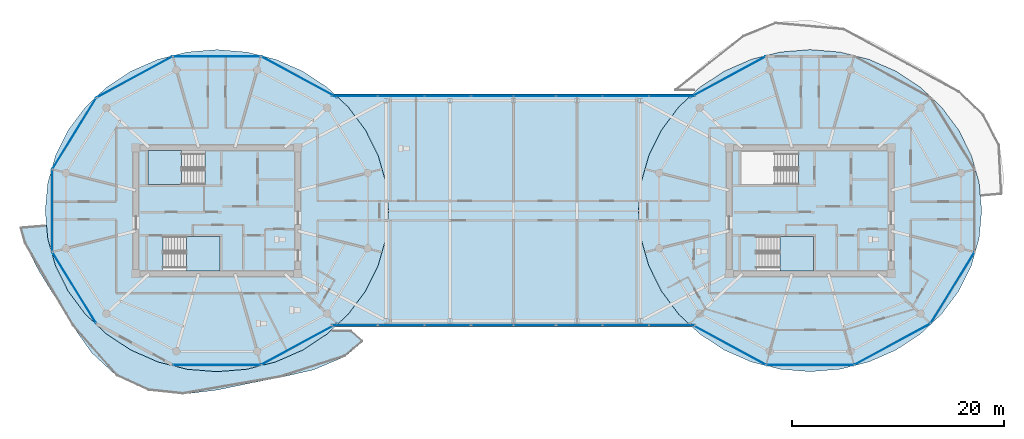
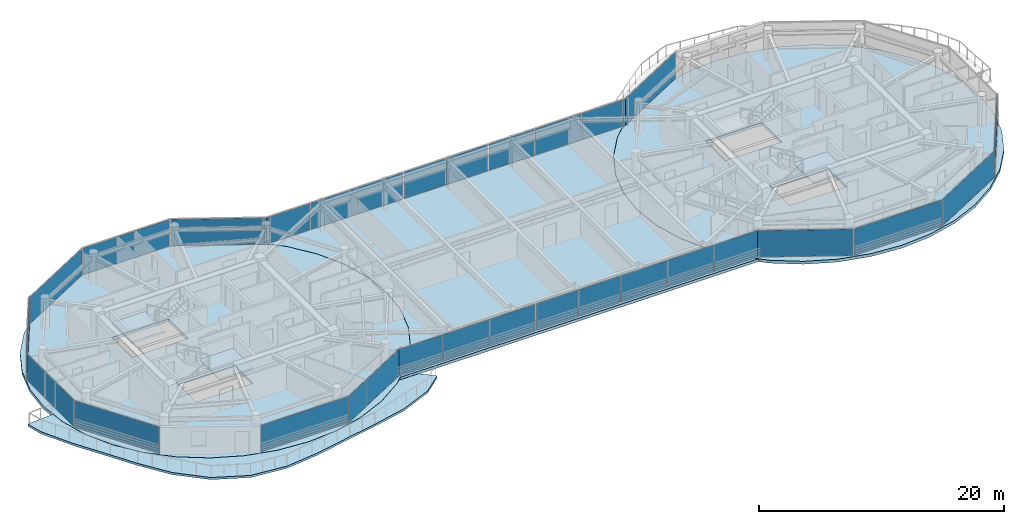
# One storey, part 12 of 24: 29 plates, 7 slabs, 22 elements without a shape of their own.
"""IFC4 building model written with IfcOpenShell, lengths in metres."""

from ifc_helpers import new_model, si_unit, direction, frame, origin, origin_2d, place, context, subcontext, project, spatial, polyline, rectangle, outline, extrude, source, transform, mapped, material, layer, layer_set, type_object, type_shapes, element, aggregate, save


model = new_model("IFC4")

# Units and contexts
model_context = context("Model", 3, precision=1e-05, world=origin(), true_north=direction((0.0, 1.0)))
body_context = subcontext(model_context, "Body", "Model", "MODEL_VIEW")
ifc_project = project(units=[si_unit("LENGTHUNIT", "METRE"), si_unit("AREAUNIT", "SQUARE_METRE"), si_unit("VOLUMEUNIT", "CUBIC_METRE"), si_unit("PLANEANGLEUNIT", "RADIAN"), si_unit("MASSUNIT", "GRAM", prefix="KILO")], contexts=[model_context])

# Site, building, storey
site_placement = place(None, origin())
site = spatial("IfcSite", under=ifc_project, at=site_placement, CompositionType="ELEMENT")
building_placement = place(site_placement, origin())
building = spatial("IfcBuilding", under=site, at=building_placement, Name="Norrkilde Senior Care Towers", CompositionType="ELEMENT")
storey_placement = place(building_placement, frame((0.0, 0.0, 226.10009765625)))
storey = spatial("IfcBuildingStorey", under=building, at=storey_placement, Name="L70", CompositionType="ELEMENT", Elevation=226.10009765625)

# Slabs
ifc_material_1 = material(Name="Concrete C50/60", Category="concrete")
ifc_layer_1 = layer(ifc_material_1, 0.2900390625)
ifc_layer_set_1 = layer_set([ifc_layer_1], Name="Concrete C50/60")
slab_type_1 = type_object("IfcSlabType", Name="Bridge Floor Slab 290", PredefinedType="FLOOR", material=ifc_layer_set_1)
slab_1_placement = place(storey_placement, frame((0.0, 0.0, -0.2900390625)))
element("IfcSlab", 1, at=slab_1_placement, inside=storey, type_object=slab_type_1, Name="L70 Drum W Structural Floor Slab", PredefinedType="FLOOR", context=body_context, shape_type="SweptSolid", body=[
    extrude(outline(polyline([(-12.777099609375, -5.19873046875), (-13.970458984375, -7.60009765625), (-15.590087890625, -9.770263671875), (-17.5869140625, -11.643798828125), (-19.89990234375, -13.16357421875), (-22.459228515625, -14.283447265625), (-25.18701171875, -14.968994140625), (-28.0, -15.199951171875), (-30.81298828125, -14.968994140625), (-33.540771484375, -14.283447265625), (-36.10009765625, -13.16357421875), (-38.4130859375, -11.643798828125), (-40.409912109375, -9.770263671875), (-42.029541015625, -7.60009765625), (-43.222900390625, -5.19873046875), (-43.953857421875, -2.639404296875), (-44.199951171875, 0.0), (-43.953857421875, 2.639404296875), (-43.222900390625, 5.19873046875), (-42.029541015625, 7.60009765625), (-40.409912109375, 9.770263671875), (-38.4130859375, 11.643798828125), (-36.10009765625, 13.16357421875), (-33.540771484375, 14.283447265625), (-30.81298828125, 14.968994140625), (-28.0, 15.199951171875), (-25.18701171875, 14.968994140625), (-22.459228515625, 14.283447265625), (-19.89990234375, 13.16357421875), (-17.5869140625, 11.643798828125), (-15.590087890625, 9.770263671875), (-13.970458984375, 7.60009765625), (-12.777099609375, 5.19873046875), (-12.046142578125, 2.639404296875), (-11.800048828125, 0.0), (-12.046142578125, -2.639404296875), (-12.777099609375, -5.19873046875)]), holes=[polyline([(-34.48193359375, 2.468017578125), (-29.117919921875, 2.468017578125), (-29.117919921875, 5.68994140625), (-34.48193359375, 5.68994140625), (-34.48193359375, 2.468017578125)]), polyline([(-27.718017578125, -5.68994140625), (-27.718017578125, -2.468017578125), (-33.08203125, -2.468017578125), (-33.08203125, -5.68994140625), (-27.718017578125, -5.68994140625)])]), origin(), (0.0, 0.0, 1.0), 0.2900390625),
])
slab_2_placement = place(storey_placement, frame((0.0, 0.0, -0.2900390625)))
element("IfcSlab", 2, at=slab_2_placement, inside=storey, type_object=slab_type_1, Name="L70 Drum E Structural Floor Slab", PredefinedType="FLOOR", context=body_context, shape_type="SweptSolid", body=[
    extrude(outline(polyline([(43.222900390625, -5.19873046875), (42.029541015625, -7.60009765625), (40.409912109375, -9.770263671875), (38.4130859375, -11.643798828125), (36.10009765625, -13.16357421875), (33.540771484375, -14.283447265625), (30.81298828125, -14.968994140625), (28.0, -15.199951171875), (25.18701171875, -14.968994140625), (22.459228515625, -14.283447265625), (19.89990234375, -13.16357421875), (17.5869140625, -11.643798828125), (15.590087890625, -9.770263671875), (13.970458984375, -7.60009765625), (12.777099609375, -5.19873046875), (12.046142578125, -2.639404296875), (11.800048828125, 0.0), (12.046142578125, 2.639404296875), (12.777099609375, 5.19873046875), (13.970458984375, 7.60009765625), (15.590087890625, 9.770263671875), (17.5869140625, 11.643798828125), (19.89990234375, 13.16357421875), (22.459228515625, 14.283447265625), (25.18701171875, 14.968994140625), (28.0, 15.199951171875), (30.81298828125, 14.968994140625), (33.540771484375, 14.283447265625), (36.10009765625, 13.16357421875), (38.4130859375, 11.643798828125), (40.409912109375, 9.770263671875), (42.029541015625, 7.60009765625), (43.222900390625, 5.19873046875), (43.953857421875, 2.639404296875), (44.199951171875, 0.0), (43.953857421875, -2.639404296875), (43.222900390625, -5.19873046875)]), holes=[polyline([(21.51806640625, 2.468017578125), (26.882080078125, 2.468017578125), (26.882080078125, 5.68994140625), (21.51806640625, 5.68994140625), (21.51806640625, 2.468017578125)]), polyline([(28.281982421875, -5.68994140625), (28.281982421875, -2.468017578125), (22.91796875, -2.468017578125), (22.91796875, -5.68994140625), (28.281982421875, -5.68994140625)])]), origin(), (0.0, 0.0, 1.0), 0.2900390625),
])
slab_3_placement = place(storey_placement, frame((0.0, 0.0, -0.2900390625)))
element("IfcSlab", 3, at=slab_3_placement, inside=storey, type_object=slab_type_1, Name="L70 Sky-Gate Bridge Floor Slab", PredefinedType="FLOOR", context=body_context, shape_type="SweptSolid", body=[
    extrude(outline(polyline([(16.893310546875, 11.0), (15.586669921875, 9.77392578125), (15.58642578125, 9.773681640625), (15.586181640625, 9.7734375), (13.96630859375, 7.60302734375), (13.966064453125, 7.6025390625), (13.9658203125, 7.602294921875), (12.7724609375, 5.200927734375), (12.772216796875, 5.200439453125), (12.772216796875, 5.2001953125), (12.041259765625, 2.640869140625), (12.041259765625, 2.640380859375), (12.041015625, 2.639892578125), (11.794921875, 0.00048828125), (11.794921875, 0.0), (11.794921875, -0.00048828125), (12.041015625, -2.639892578125), (12.041259765625, -2.640380859375), (12.041259765625, -2.640869140625), (12.772216796875, -5.2001953125), (12.772216796875, -5.200439453125), (12.7724609375, -5.200927734375), (13.9658203125, -7.602294921875), (13.966064453125, -7.6025390625), (13.96630859375, -7.60302734375), (15.586181640625, -9.7734375), (15.58642578125, -9.773681640625), (15.586669921875, -9.77392578125), (16.893310546875, -11.0), (-16.893310546875, -11.0), (-15.586669921875, -9.77392578125), (-15.58642578125, -9.773681640625), (-15.586181640625, -9.7734375), (-13.96630859375, -7.60302734375), (-13.966064453125, -7.6025390625), (-13.9658203125, -7.602294921875), (-12.7724609375, -5.200927734375), (-12.772216796875, -5.200439453125), (-12.772216796875, -5.2001953125), (-12.041259765625, -2.640869140625), (-12.041259765625, -2.640380859375), (-12.041015625, -2.639892578125), (-11.794921875, -0.00048828125), (-11.794921875, 0.0), (-11.794921875, 0.00048828125), (-12.041015625, 2.639892578125), (-12.041259765625, 2.640380859375), (-12.041259765625, 2.640869140625), (-12.772216796875, 5.2001953125), (-12.772216796875, 5.200439453125), (-12.7724609375, 5.200927734375), (-13.9658203125, 7.602294921875), (-13.966064453125, 7.6025390625), (-13.96630859375, 7.60302734375), (-15.586181640625, 9.7734375), (-15.58642578125, 9.773681640625), (-15.586669921875, 9.77392578125), (-16.893310546875, 11.0), (16.893310546875, 11.0)])), origin(), (0.0, 0.0, 1.0), 0.2900390625),
])
ifc_layer_2 = layer(ifc_material_1, 0.215087890625)
ifc_layer_set_2 = layer_set([ifc_layer_2], Name="Concrete C50/60")
slab_type_2 = type_object("IfcSlabType", Name="Sinusoidal Balcony Ribbon Slab 215", PredefinedType="FLOOR", material=ifc_layer_set_2)
slab_4_placement = place(storey_placement, frame((0.0, 0.0, -0.215087890625)))
element("IfcSlab", 4, at=slab_4_placement, inside=storey, type_object=slab_type_2, Name="L70 Drum W Swirling Senior Balcony 1", PredefinedType="FLOOR", context=body_context, shape_type="SweptSolid", body=[
    extrude(outline(polyline([(-21.96435546875, -15.732421875), (-24.964599609375, -16.3125), (-28.0, -16.9375), (-31.203125, -17.3271484375), (-34.462890625, -16.9833984375), (-37.431884765625, -15.6220703125), (-39.81103515625, -13.419189453125), (-41.62255859375, -10.854736328125), (-43.179443359375, -8.307373046875), (-44.73974609375, -5.787109375), (-46.174560546875, -3.056884765625), (-46.578857421875, -1.55224609375), (-44.079833984375, -1.343505859375), (-43.958740234375, -2.640380859375), (-43.227783203125, -5.200439453125), (-42.033935546875, -7.6025390625), (-40.413818359375, -9.773681640625), (-38.416259765625, -11.647705078125), (-36.1025390625, -13.16796875), (-33.54248046875, -14.2880859375), (-30.81396484375, -14.97412109375), (-28.0, -15.205078125), (-25.18603515625, -14.97412109375), (-22.45751953125, -14.2880859375), (-19.8974609375, -13.16796875), (-17.583740234375, -11.647705078125), (-17.213134765625, -11.300048828125), (-15.310546875, -11.300048828125), (-14.170654296875, -12.315185546875), (-15.905029296875, -13.780029296875), (-18.887939453125, -15.031982421875), (-21.96435546875, -15.732421875)])), origin(), (0.0, 0.0, 1.0), 0.215087890625),
])

# Stair, slab
ifc_material_2 = material(Name="Concrete C45/55", Category="concrete")
stair_type = type_object("IfcStairType", Name="Core Protected Dogleg Stair Typical 3050", PredefinedType="HALF_TURN_STAIR", material=ifc_material_2)
stair_1_placement = place(storey_placement, origin())
stair_1 = element("IfcStair", 5, at=stair_1_placement, inside=storey, type_object=stair_type, Name="L70 Protected Core Stair W1", PredefinedType="HALF_TURN_STAIR")
ifc_layer_3 = layer(ifc_material_2, 0.199951171875)
ifc_layer_set_3 = layer_set([ifc_layer_3], Name="Concrete C45/55")
slab_type_3 = type_object("IfcSlabType", Name="Stair Landing Slab 200", PredefinedType="LANDING", material=ifc_layer_set_3)
slab_5_placement = place(storey_placement, frame((0.0, 0.0, 1.324951171875)))
slab_5 = element("IfcSlab", 6, at=slab_5_placement, type_object=slab_type_3, Name="ST-W1 landing 1", PredefinedType="LANDING", context=body_context, shape_type="SweptSolid", body=[
    extrude(outline(polyline([(-31.340087890625, 5.68994140625), (-34.5, 5.68994140625), (-34.5, 2.449951171875), (-31.340087890625, 2.449951171875), (-31.340087890625, 5.68994140625)])), origin(), (0.0, 0.0, 1.0), 0.199951171875),
])
aggregate(stair_1, [slab_5])

stair_2_placement = place(storey_placement, origin())
stair_2 = element("IfcStair", 7, at=stair_2_placement, inside=storey, type_object=stair_type, Name="L70 Protected Core Stair W2", PredefinedType="HALF_TURN_STAIR")
slab_6_placement = place(storey_placement, frame((0.0, 0.0, 1.324951171875)))
slab_6 = element("IfcSlab", 8, at=slab_6_placement, type_object=slab_type_3, Name="ST-W2 landing 1", PredefinedType="LANDING", context=body_context, shape_type="SweptSolid", body=[
    extrude(outline(polyline([(-30.860107421875, -5.68994140625), (-27.699951171875, -5.68994140625), (-27.699951171875, -2.449951171875), (-30.860107421875, -2.449951171875), (-30.860107421875, -5.68994140625)])), origin(), (0.0, 0.0, 1.0), 0.199951171875),
])
aggregate(stair_2, [slab_6])

stair_3_placement = place(storey_placement, origin())
stair_3 = element("IfcStair", 9, at=stair_3_placement, inside=storey, type_object=stair_type, Name="L70 Protected Core Stair E2", PredefinedType="HALF_TURN_STAIR")
slab_7_placement = place(storey_placement, frame((0.0, 0.0, 1.324951171875)))
slab_7 = element("IfcSlab", 10, at=slab_7_placement, type_object=slab_type_3, Name="ST-E2 landing 1", PredefinedType="LANDING", context=body_context, shape_type="SweptSolid", body=[
    extrude(outline(polyline([(25.139892578125, -5.68994140625), (28.300048828125, -5.68994140625), (28.300048828125, -2.449951171875), (25.139892578125, -2.449951171875), (25.139892578125, -5.68994140625)])), origin(), (0.0, 0.0, 1.0), 0.199951171875),
])
aggregate(stair_3, [slab_7])

# Curtain wall, plate
ifc_material_3 = material(Name="Triple Low-E Insulated Glazing", Category="glass")
ifc_layer_4 = layer(ifc_material_3, 0.18505859375)
ifc_layer_set_4 = layer_set([ifc_layer_4], Name="Triple Low-E Insulated Glazing")
curtain_wall_type_1 = type_object("IfcCurtainWallType", Name="CW6 Zone 4 Crown Pavilion Curtain Wall", PredefinedType="NOTDEFINED", material=ifc_layer_set_4)
curtain_wall_1_placement = place(storey_placement, origin())
curtain_wall_1 = element("IfcCurtainWall", 11, at=curtain_wall_1_placement, inside=storey, type_object=curtain_wall_type_1, Name="L70 Drum W Curtain Wall 04", PredefinedType="NOTDEFINED")
ifc_layer_5 = layer(ifc_material_3, 0.035888671875)
ifc_layer_set_5 = layer_set([ifc_layer_5], Name="Triple Low-E Insulated Glazing")
plate_type = type_object("IfcPlateType", Name="Triple Low-E Vision Curtain Panel 36", PredefinedType="CURTAIN_PANEL", material=ifc_layer_set_5)
shared_shape_1 = source(origin(), body_context, "Body", "SweptSolid", [
    extrude(rectangle(XDim=7.80859375, YDim=0.035888671875, at=origin_2d()), origin(), (0.0, 0.0, 1.0), 2.639892578125),
])
plate_1_placement = place(storey_placement, frame((-41.451171875, 7.282958984375, 0.06005859375), z_axis=(0.0, 0.0, 1.0), x_axis=(0.524252726748, 0.851562727283, 0.0)))
plate_1 = element("IfcPlate", 12, at=plate_1_placement, type_object=plate_type, Name="CW-6 panel 1.1", PredefinedType="CURTAIN_PANEL", context=body_context, shape_type="MappedRepresentation", body=[
    mapped(shared_shape_1, transform((0.0, 0.0, 0.0), x_axis=(1.0, 0.0, 0.0), y_axis=(0.0, 1.0, 0.0), z_axis=(0.0, 0.0, 1.0), scale=1.0)),
])
aggregate(curtain_wall_1, [plate_1])

curtain_wall_2_placement = place(storey_placement, origin())
curtain_wall_2 = element("IfcCurtainWall", 13, at=curtain_wall_2_placement, inside=storey, type_object=curtain_wall_type_1, Name="L70 Drum W Curtain Wall 06", PredefinedType="NOTDEFINED")
plate_2_placement = place(storey_placement, frame((-41.451171875, -7.282958984375, 0.06005859375), z_axis=(0.0, 0.0, 1.0), x_axis=(-0.524252726748, 0.851562727283, 0.0)))
plate_2 = element("IfcPlate", 14, at=plate_2_placement, type_object=plate_type, Name="CW-6 panel 1.1", PredefinedType="CURTAIN_PANEL", context=body_context, shape_type="MappedRepresentation", body=[
    mapped(shared_shape_1, transform((0.0, 0.0, 0.0), x_axis=(1.0, 0.0, 0.0), y_axis=(0.0, 1.0, 0.0), z_axis=(0.0, 0.0, 1.0), scale=1.0)),
])
aggregate(curtain_wall_2, [plate_2])

curtain_wall_3_placement = place(storey_placement, origin())
curtain_wall_3 = element("IfcCurtainWall", 15, at=curtain_wall_3_placement, inside=storey, type_object=curtain_wall_type_1, Name="L70 Drum E Curtain Wall 10", PredefinedType="NOTDEFINED")
plate_3_placement = place(storey_placement, frame((41.451171875, -7.282958984375, 0.06005859375), z_axis=(0.0, 0.0, 1.0), x_axis=(-0.524252726748, -0.851562727283, 0.0)))
plate_3 = element("IfcPlate", 16, at=plate_3_placement, type_object=plate_type, Name="CW-6 panel 1.1", PredefinedType="CURTAIN_PANEL", context=body_context, shape_type="MappedRepresentation", body=[
    mapped(shared_shape_1, transform((0.0, 0.0, 0.0), x_axis=(1.0, 0.0, 0.0), y_axis=(0.0, 1.0, 0.0), z_axis=(0.0, 0.0, 1.0), scale=1.0)),
])
aggregate(curtain_wall_3, [plate_3])

curtain_wall_4_placement = place(storey_placement, origin())
curtain_wall_4 = element("IfcCurtainWall", 17, at=curtain_wall_4_placement, inside=storey, type_object=curtain_wall_type_1, Name="L70 Drum W Curtain Wall 01", PredefinedType="NOTDEFINED")
shared_shape_2 = source(origin(), body_context, "Body", "SweptSolid", [
    extrude(rectangle(XDim=8.0673828125, YDim=0.035888671875, at=origin_2d()), origin(), (0.0, 0.0, 1.0), 2.639892578125),
])
plate_4_placement = place(storey_placement, frame((-20.23388671875, 12.61474609375, 0.06005859375), z_axis=(0.0, 0.0, 1.0), x_axis=(0.879373455772, -0.476132676136, 0.0)))
plate_4 = element("IfcPlate", 18, at=plate_4_placement, type_object=plate_type, Name="CW-6 panel 1.1", PredefinedType="CURTAIN_PANEL", context=body_context, shape_type="MappedRepresentation", body=[
    mapped(shared_shape_2, transform((0.0, 0.0, 0.0), x_axis=(1.0, 0.0, 0.0), y_axis=(0.0, 1.0, 0.0), z_axis=(0.0, 0.0, 1.0), scale=1.0)),
])
aggregate(curtain_wall_4, [plate_4])

curtain_wall_5_placement = place(storey_placement, origin())
curtain_wall_5 = element("IfcCurtainWall", 19, at=curtain_wall_5_placement, inside=storey, type_object=curtain_wall_type_1, Name="L70 Drum W Curtain Wall 03", PredefinedType="NOTDEFINED")
plate_5_placement = place(storey_placement, frame((-35.76611328125, 12.61474609375, 0.06005859375), z_axis=(0.0, 0.0, 1.0), x_axis=(0.879373455772, 0.476132676136, 0.0)))
plate_5 = element("IfcPlate", 20, at=plate_5_placement, type_object=plate_type, Name="CW-6 panel 1.1", PredefinedType="CURTAIN_PANEL", context=body_context, shape_type="MappedRepresentation", body=[
    mapped(shared_shape_2, transform((0.0, 0.0, 0.0), x_axis=(1.0, 0.0, 0.0), y_axis=(0.0, 1.0, 0.0), z_axis=(0.0, 0.0, 1.0), scale=1.0)),
])
aggregate(curtain_wall_5, [plate_5])

curtain_wall_6_placement = place(storey_placement, origin())
curtain_wall_6 = element("IfcCurtainWall", 21, at=curtain_wall_6_placement, inside=storey, type_object=curtain_wall_type_1, Name="L70 Drum W Curtain Wall 09", PredefinedType="NOTDEFINED")
plate_6_placement = place(storey_placement, frame((-20.23388671875, -12.61474609375, 0.06005859375), z_axis=(0.0, 0.0, 1.0), x_axis=(-0.879373455772, -0.476132676136, 0.0)))
plate_6 = element("IfcPlate", 22, at=plate_6_placement, type_object=plate_type, Name="CW-6 panel 1.1", PredefinedType="CURTAIN_PANEL", context=body_context, shape_type="MappedRepresentation", body=[
    mapped(shared_shape_2, transform((0.0, 0.0, 0.0), x_axis=(1.0, 0.0, 0.0), y_axis=(0.0, 1.0, 0.0), z_axis=(0.0, 0.0, 1.0), scale=1.0)),
])
aggregate(curtain_wall_6, [plate_6])

curtain_wall_7_placement = place(storey_placement, origin())
curtain_wall_7 = element("IfcCurtainWall", 23, at=curtain_wall_7_placement, inside=storey, type_object=curtain_wall_type_1, Name="L70 Drum E Curtain Wall 03", PredefinedType="NOTDEFINED")
plate_7_placement = place(storey_placement, frame((20.23388671875, 12.61474609375, 0.06005859375), z_axis=(0.0, 0.0, 1.0), x_axis=(0.879373455772, 0.476132676136, 0.0)))
plate_7 = element("IfcPlate", 24, at=plate_7_placement, type_object=plate_type, Name="CW-6 panel 1.1", PredefinedType="CURTAIN_PANEL", context=body_context, shape_type="MappedRepresentation", body=[
    mapped(shared_shape_2, transform((0.0, 0.0, 0.0), x_axis=(1.0, 0.0, 0.0), y_axis=(0.0, 1.0, 0.0), z_axis=(0.0, 0.0, 1.0), scale=1.0)),
])
aggregate(curtain_wall_7, [plate_7])

curtain_wall_8_placement = place(storey_placement, origin())
curtain_wall_8 = element("IfcCurtainWall", 25, at=curtain_wall_8_placement, inside=storey, type_object=curtain_wall_type_1, Name="L70 Drum E Curtain Wall 07", PredefinedType="NOTDEFINED")
plate_8_placement = place(storey_placement, frame((20.23388671875, -12.61474609375, 0.06005859375), z_axis=(0.0, 0.0, 1.0), x_axis=(-0.879373455772, 0.476132676136, 0.0)))
plate_8 = element("IfcPlate", 26, at=plate_8_placement, type_object=plate_type, Name="CW-6 panel 1.1", PredefinedType="CURTAIN_PANEL", context=body_context, shape_type="MappedRepresentation", body=[
    mapped(shared_shape_2, transform((0.0, 0.0, 0.0), x_axis=(1.0, 0.0, 0.0), y_axis=(0.0, 1.0, 0.0), z_axis=(0.0, 0.0, 1.0), scale=1.0)),
])
aggregate(curtain_wall_8, [plate_8])

curtain_wall_9_placement = place(storey_placement, origin())
curtain_wall_9 = element("IfcCurtainWall", 27, at=curtain_wall_9_placement, inside=storey, type_object=curtain_wall_type_1, Name="L70 Drum E Curtain Wall 09", PredefinedType="NOTDEFINED")
plate_9_placement = place(storey_placement, frame((35.76611328125, -12.61474609375, 0.06005859375), z_axis=(0.0, 0.0, 1.0), x_axis=(-0.879373455772, -0.476132676136, 0.0)))
plate_9 = element("IfcPlate", 28, at=plate_9_placement, type_object=plate_type, Name="CW-6 panel 1.1", PredefinedType="CURTAIN_PANEL", context=body_context, shape_type="MappedRepresentation", body=[
    mapped(shared_shape_2, transform((0.0, 0.0, 0.0), x_axis=(1.0, 0.0, 0.0), y_axis=(0.0, 1.0, 0.0), z_axis=(0.0, 0.0, 1.0), scale=1.0)),
])
aggregate(curtain_wall_9, [plate_9])

curtain_wall_10_placement = place(storey_placement, origin())
curtain_wall_10 = element("IfcCurtainWall", 29, at=curtain_wall_10_placement, inside=storey, type_object=curtain_wall_type_1, Name="L70 Drum W Curtain Wall 02", PredefinedType="NOTDEFINED")
shared_shape_3 = source(origin(), body_context, "Body", "SweptSolid", [
    extrude(rectangle(XDim=8.193603515625, YDim=0.035888671875, at=origin_2d()), origin(), (0.0, 0.0, 1.0), 2.639892578125),
])
plate_10_placement = place(storey_placement, frame((-28.0, 14.566162109375, 0.06005859375), z_axis=(0.0, 0.0, 1.0), x_axis=(1.0, 0.0, 0.0)))
plate_10 = element("IfcPlate", 30, at=plate_10_placement, type_object=plate_type, Name="CW-6 panel 1.1", PredefinedType="CURTAIN_PANEL", context=body_context, shape_type="MappedRepresentation", body=[
    mapped(shared_shape_3, transform((0.0, 0.0, 0.0), x_axis=(1.0, 0.0, 0.0), y_axis=(0.0, 1.0, 0.0), z_axis=(0.0, 0.0, 1.0), scale=1.0)),
])
aggregate(curtain_wall_10, [plate_10])

curtain_wall_11_placement = place(storey_placement, origin())
curtain_wall_11 = element("IfcCurtainWall", 31, at=curtain_wall_11_placement, inside=storey, type_object=curtain_wall_type_1, Name="L70 Drum W Curtain Wall 08", PredefinedType="NOTDEFINED")
plate_11_placement = place(storey_placement, frame((-28.0, -14.566162109375, 0.06005859375), z_axis=(0.0, 0.0, 1.0), x_axis=(-1.0, 0.0, 0.0)))
plate_11 = element("IfcPlate", 32, at=plate_11_placement, type_object=plate_type, Name="CW-6 panel 1.1", PredefinedType="CURTAIN_PANEL", context=body_context, shape_type="MappedRepresentation", body=[
    mapped(shared_shape_3, transform((0.0, 0.0, 0.0), x_axis=(1.0, 0.0, 0.0), y_axis=(0.0, 1.0, 0.0), z_axis=(0.0, 0.0, 1.0), scale=1.0)),
])
aggregate(curtain_wall_11, [plate_11])

curtain_wall_12_placement = place(storey_placement, origin())
curtain_wall_12 = element("IfcCurtainWall", 33, at=curtain_wall_12_placement, inside=storey, type_object=curtain_wall_type_1, Name="L70 Drum E Curtain Wall 08", PredefinedType="NOTDEFINED")
plate_12_placement = place(storey_placement, frame((28.0, -14.566162109375, 0.06005859375), z_axis=(0.0, 0.0, 1.0), x_axis=(-1.0, 0.0, 0.0)))
plate_12 = element("IfcPlate", 34, at=plate_12_placement, type_object=plate_type, Name="CW-6 panel 1.1", PredefinedType="CURTAIN_PANEL", context=body_context, shape_type="MappedRepresentation", body=[
    mapped(shared_shape_3, transform((0.0, 0.0, 0.0), x_axis=(1.0, 0.0, 0.0), y_axis=(0.0, 1.0, 0.0), z_axis=(0.0, 0.0, 1.0), scale=1.0)),
])
aggregate(curtain_wall_12, [plate_12])

curtain_wall_13_placement = place(storey_placement, origin())
curtain_wall_13 = element("IfcCurtainWall", 35, at=curtain_wall_13_placement, inside=storey, type_object=curtain_wall_type_1, Name="L70 Drum W Curtain Wall 05", PredefinedType="NOTDEFINED")
shared_shape_4 = source(origin(), body_context, "Body", "SweptSolid", [
    extrude(rectangle(XDim=7.676025390625, YDim=0.035888671875, at=origin_2d()), origin(), (0.0, 0.0, 1.0), 2.639892578125),
])
plate_13_placement = place(storey_placement, frame((-43.531982421875, 0.0, 0.06005859375), z_axis=(0.0, 0.0, 1.0), x_axis=(0.0, 1.0, 0.0)))
plate_13 = element("IfcPlate", 36, at=plate_13_placement, type_object=plate_type, Name="CW-6 panel 1.1", PredefinedType="CURTAIN_PANEL", context=body_context, shape_type="MappedRepresentation", body=[
    mapped(shared_shape_4, transform((0.0, 0.0, 0.0), x_axis=(1.0, 0.0, 0.0), y_axis=(0.0, 1.0, 0.0), z_axis=(0.0, 0.0, 1.0), scale=1.0)),
])
aggregate(curtain_wall_13, [plate_13])

# Curtain wall, plates
ifc_layer_6 = layer(ifc_material_3, 0.2099609375)
ifc_layer_set_6 = layer_set([ifc_layer_6], Name="Triple Low-E Insulated Glazing")
curtain_wall_type_2 = type_object("IfcCurtainWallType", Name="CW5 Sky-Gate Bridge Curtain Wall", PredefinedType="NOTDEFINED", material=ifc_layer_set_6)
curtain_wall_14_placement = place(storey_placement, origin())
curtain_wall_14 = element("IfcCurtainWall", 37, at=curtain_wall_14_placement, inside=storey, type_object=curtain_wall_type_2, Name="L70 Sky-Gate Bridge North Curtain Wall 1", PredefinedType="NOTDEFINED")
shared_shape_5 = source(origin(), body_context, "Body", "SweptSolid", [
    extrude(rectangle(XDim=4.294921875, YDim=0.035888671875, at=origin_2d()), origin(), (0.0, 0.0, 1.0), 2.6298828125),
])
plate_14_placement = place(storey_placement, frame((-14.982421875, 10.820068359375, 0.06494140625), z_axis=(0.0, 0.0, 1.0), x_axis=(1.0, 0.0, 0.0)))
plate_14 = element("IfcPlate", 38, at=plate_14_placement, type_object=plate_type, Name="CW-5 panel 1.1", PredefinedType="CURTAIN_PANEL", context=body_context, shape_type="MappedRepresentation", body=[
    mapped(shared_shape_5, transform((0.0, 0.0, 0.0), x_axis=(1.0, 0.0, 0.0), y_axis=(0.0, 1.0, 0.0), z_axis=(0.0, 0.0, 1.0), scale=1.0)),
])
plate_15_placement = place(storey_placement, frame((-6.217529296875, 10.820068359375, 0.06494140625), z_axis=(0.0, 0.0, 1.0), x_axis=(1.0, 0.0, 0.0)))
plate_15 = element("IfcPlate", 39, at=plate_15_placement, type_object=plate_type, Name="CW-5 panel 3.1", PredefinedType="CURTAIN_PANEL", context=body_context, shape_type="MappedRepresentation", body=[
    mapped(shared_shape_5, transform((0.0, 0.0, 0.0), x_axis=(1.0, 0.0, 0.0), y_axis=(0.0, 1.0, 0.0), z_axis=(0.0, 0.0, 1.0), scale=1.0)),
])

curtain_wall_15_placement = place(storey_placement, origin())
curtain_wall_15 = element("IfcCurtainWall", 40, at=curtain_wall_15_placement, inside=storey, type_object=curtain_wall_type_2, Name="L70 Sky-Gate Bridge North Curtain Wall 3", PredefinedType="NOTDEFINED")
plate_16_placement = place(storey_placement, frame((6.217529296875, 10.820068359375, 0.06494140625), z_axis=(0.0, 0.0, 1.0), x_axis=(1.0, 0.0, 0.0)))
plate_16 = element("IfcPlate", 41, at=plate_16_placement, type_object=plate_type, Name="CW-5 panel 1.1", PredefinedType="CURTAIN_PANEL", context=body_context, shape_type="MappedRepresentation", body=[
    mapped(shared_shape_5, transform((0.0, 0.0, 0.0), x_axis=(1.0, 0.0, 0.0), y_axis=(0.0, 1.0, 0.0), z_axis=(0.0, 0.0, 1.0), scale=1.0)),
])
plate_17_placement = place(storey_placement, frame((14.982421875, 10.820068359375, 0.06494140625), z_axis=(0.0, 0.0, 1.0), x_axis=(1.0, 0.0, 0.0)))
plate_17 = element("IfcPlate", 42, at=plate_17_placement, type_object=plate_type, Name="CW-5 panel 3.1", PredefinedType="CURTAIN_PANEL", context=body_context, shape_type="MappedRepresentation", body=[
    mapped(shared_shape_5, transform((0.0, 0.0, 0.0), x_axis=(1.0, 0.0, 0.0), y_axis=(0.0, 1.0, 0.0), z_axis=(0.0, 0.0, 1.0), scale=1.0)),
])

curtain_wall_16_placement = place(storey_placement, origin())
curtain_wall_16 = element("IfcCurtainWall", 43, at=curtain_wall_16_placement, inside=storey, type_object=curtain_wall_type_2, Name="L70 Sky-Gate Bridge South Curtain Wall 1", PredefinedType="NOTDEFINED")
plate_18_placement = place(storey_placement, frame((14.982421875, -10.820068359375, 0.06494140625), z_axis=(0.0, 0.0, 1.0), x_axis=(-1.0, 0.0, 0.0)))
plate_18 = element("IfcPlate", 44, at=plate_18_placement, type_object=plate_type, Name="CW-5 panel 1.1", PredefinedType="CURTAIN_PANEL", context=body_context, shape_type="MappedRepresentation", body=[
    mapped(shared_shape_5, transform((0.0, 0.0, 0.0), x_axis=(1.0, 0.0, 0.0), y_axis=(0.0, 1.0, 0.0), z_axis=(0.0, 0.0, 1.0), scale=1.0)),
])
plate_19_placement = place(storey_placement, frame((6.217529296875, -10.820068359375, 0.06494140625), z_axis=(0.0, 0.0, 1.0), x_axis=(-1.0, 0.0, 0.0)))
plate_19 = element("IfcPlate", 45, at=plate_19_placement, type_object=plate_type, Name="CW-5 panel 3.1", PredefinedType="CURTAIN_PANEL", context=body_context, shape_type="MappedRepresentation", body=[
    mapped(shared_shape_5, transform((0.0, 0.0, 0.0), x_axis=(1.0, 0.0, 0.0), y_axis=(0.0, 1.0, 0.0), z_axis=(0.0, 0.0, 1.0), scale=1.0)),
])

curtain_wall_17_placement = place(storey_placement, origin())
curtain_wall_17 = element("IfcCurtainWall", 46, at=curtain_wall_17_placement, inside=storey, type_object=curtain_wall_type_2, Name="L70 Sky-Gate Bridge South Curtain Wall 3", PredefinedType="NOTDEFINED")
plate_20_placement = place(storey_placement, frame((-6.217529296875, -10.820068359375, 0.06494140625), z_axis=(0.0, 0.0, 1.0), x_axis=(-1.0, 0.0, 0.0)))
plate_20 = element("IfcPlate", 47, at=plate_20_placement, type_object=plate_type, Name="CW-5 panel 1.1", PredefinedType="CURTAIN_PANEL", context=body_context, shape_type="MappedRepresentation", body=[
    mapped(shared_shape_5, transform((0.0, 0.0, 0.0), x_axis=(1.0, 0.0, 0.0), y_axis=(0.0, 1.0, 0.0), z_axis=(0.0, 0.0, 1.0), scale=1.0)),
])
plate_21_placement = place(storey_placement, frame((-14.982421875, -10.820068359375, 0.06494140625), z_axis=(0.0, 0.0, 1.0), x_axis=(-1.0, 0.0, 0.0)))
plate_21 = element("IfcPlate", 48, at=plate_21_placement, type_object=plate_type, Name="CW-5 panel 3.1", PredefinedType="CURTAIN_PANEL", context=body_context, shape_type="MappedRepresentation", body=[
    mapped(shared_shape_5, transform((0.0, 0.0, 0.0), x_axis=(1.0, 0.0, 0.0), y_axis=(0.0, 1.0, 0.0), z_axis=(0.0, 0.0, 1.0), scale=1.0)),
])

# Plate
shared_shape_6 = source(origin(), body_context, "Body", "SweptSolid", [
    extrude(rectangle(XDim=4.330078125, YDim=0.035888671875, at=origin_2d()), origin(), (0.0, 0.0, 1.0), 2.6298828125),
])
plate_22_placement = place(storey_placement, frame((-10.60009765625, 10.820068359375, 0.06494140625), z_axis=(0.0, 0.0, 1.0), x_axis=(1.0, 0.0, 0.0)))
plate_22 = element("IfcPlate", 49, at=plate_22_placement, type_object=plate_type, Name="CW-5 panel 2.1", PredefinedType="CURTAIN_PANEL", context=body_context, shape_type="MappedRepresentation", body=[
    mapped(shared_shape_6, transform((0.0, 0.0, 0.0), x_axis=(1.0, 0.0, 0.0), y_axis=(0.0, 1.0, 0.0), z_axis=(0.0, 0.0, 1.0), scale=1.0)),
])

aggregate(curtain_wall_14, [plate_14, plate_22, plate_15])

plate_23_placement = place(storey_placement, frame((10.60009765625, 10.820068359375, 0.06494140625), z_axis=(0.0, 0.0, 1.0), x_axis=(1.0, 0.0, 0.0)))
plate_23 = element("IfcPlate", 50, at=plate_23_placement, type_object=plate_type, Name="CW-5 panel 2.1", PredefinedType="CURTAIN_PANEL", context=body_context, shape_type="MappedRepresentation", body=[
    mapped(shared_shape_6, transform((0.0, 0.0, 0.0), x_axis=(1.0, 0.0, 0.0), y_axis=(0.0, 1.0, 0.0), z_axis=(0.0, 0.0, 1.0), scale=1.0)),
])

aggregate(curtain_wall_15, [plate_16, plate_23, plate_17])

plate_24_placement = place(storey_placement, frame((10.60009765625, -10.820068359375, 0.06494140625), z_axis=(0.0, 0.0, 1.0), x_axis=(-1.0, 0.0, 0.0)))
plate_24 = element("IfcPlate", 51, at=plate_24_placement, type_object=plate_type, Name="CW-5 panel 2.1", PredefinedType="CURTAIN_PANEL", context=body_context, shape_type="MappedRepresentation", body=[
    mapped(shared_shape_6, transform((0.0, 0.0, 0.0), x_axis=(1.0, 0.0, 0.0), y_axis=(0.0, 1.0, 0.0), z_axis=(0.0, 0.0, 1.0), scale=1.0)),
])

aggregate(curtain_wall_16, [plate_18, plate_24, plate_19])

plate_25_placement = place(storey_placement, frame((-10.60009765625, -10.820068359375, 0.06494140625), z_axis=(0.0, 0.0, 1.0), x_axis=(-1.0, 0.0, 0.0)))
plate_25 = element("IfcPlate", 52, at=plate_25_placement, type_object=plate_type, Name="CW-5 panel 2.1", PredefinedType="CURTAIN_PANEL", context=body_context, shape_type="MappedRepresentation", body=[
    mapped(shared_shape_6, transform((0.0, 0.0, 0.0), x_axis=(1.0, 0.0, 0.0), y_axis=(0.0, 1.0, 0.0), z_axis=(0.0, 0.0, 1.0), scale=1.0)),
])

aggregate(curtain_wall_17, [plate_20, plate_25, plate_21])

# Curtain wall, plates
curtain_wall_18_placement = place(storey_placement, origin())
curtain_wall_18 = element("IfcCurtainWall", 53, at=curtain_wall_18_placement, inside=storey, type_object=curtain_wall_type_2, Name="L70 Sky-Gate Bridge North Curtain Wall 2", PredefinedType="NOTDEFINED")
shared_shape_7 = source(origin(), body_context, "Body", "SweptSolid", [
    extrude(rectangle(XDim=3.89501953125, YDim=0.035888671875, at=origin_2d()), origin(), (0.0, 0.0, 1.0), 2.6298828125),
])
type_shapes(plate_type, [shared_shape_1, shared_shape_2, shared_shape_3, shared_shape_4, shared_shape_5, shared_shape_6, shared_shape_7])
plate_26_placement = place(storey_placement, frame((-1.982421875, 10.820068359375, 0.06494140625), z_axis=(0.0, 0.0, 1.0), x_axis=(1.0, 0.0, 0.0)))
plate_26 = element("IfcPlate", 54, at=plate_26_placement, type_object=plate_type, Name="CW-5 panel 1.1", PredefinedType="CURTAIN_PANEL", context=body_context, shape_type="MappedRepresentation", body=[
    mapped(shared_shape_7, transform((0.0, 0.0, 0.0), x_axis=(1.0, 0.0, 0.0), y_axis=(0.0, 1.0, 0.0), z_axis=(0.0, 0.0, 1.0), scale=1.0)),
])
plate_27_placement = place(storey_placement, frame((1.982421875, 10.820068359375, 0.06494140625), z_axis=(0.0, 0.0, 1.0), x_axis=(1.0, 0.0, 0.0)))
plate_27 = element("IfcPlate", 55, at=plate_27_placement, type_object=plate_type, Name="CW-5 panel 2.1", PredefinedType="CURTAIN_PANEL", context=body_context, shape_type="MappedRepresentation", body=[
    mapped(shared_shape_7, transform((0.0, 0.0, 0.0), x_axis=(1.0, 0.0, 0.0), y_axis=(0.0, 1.0, 0.0), z_axis=(0.0, 0.0, 1.0), scale=1.0)),
])
aggregate(curtain_wall_18, [plate_26, plate_27])

curtain_wall_19_placement = place(storey_placement, origin())
curtain_wall_19 = element("IfcCurtainWall", 56, at=curtain_wall_19_placement, inside=storey, type_object=curtain_wall_type_2, Name="L70 Sky-Gate Bridge South Curtain Wall 2", PredefinedType="NOTDEFINED")
plate_28_placement = place(storey_placement, frame((1.982421875, -10.820068359375, 0.06494140625), z_axis=(0.0, 0.0, 1.0), x_axis=(-1.0, 0.0, 0.0)))
plate_28 = element("IfcPlate", 57, at=plate_28_placement, type_object=plate_type, Name="CW-5 panel 1.1", PredefinedType="CURTAIN_PANEL", context=body_context, shape_type="MappedRepresentation", body=[
    mapped(shared_shape_7, transform((0.0, 0.0, 0.0), x_axis=(1.0, 0.0, 0.0), y_axis=(0.0, 1.0, 0.0), z_axis=(0.0, 0.0, 1.0), scale=1.0)),
])
plate_29_placement = place(storey_placement, frame((-1.982421875, -10.820068359375, 0.06494140625), z_axis=(0.0, 0.0, 1.0), x_axis=(-1.0, 0.0, 0.0)))
plate_29 = element("IfcPlate", 58, at=plate_29_placement, type_object=plate_type, Name="CW-5 panel 2.1", PredefinedType="CURTAIN_PANEL", context=body_context, shape_type="MappedRepresentation", body=[
    mapped(shared_shape_7, transform((0.0, 0.0, 0.0), x_axis=(1.0, 0.0, 0.0), y_axis=(0.0, 1.0, 0.0), z_axis=(0.0, 0.0, 1.0), scale=1.0)),
])
aggregate(curtain_wall_19, [plate_28, plate_29])

save(model, "model.ifc")
